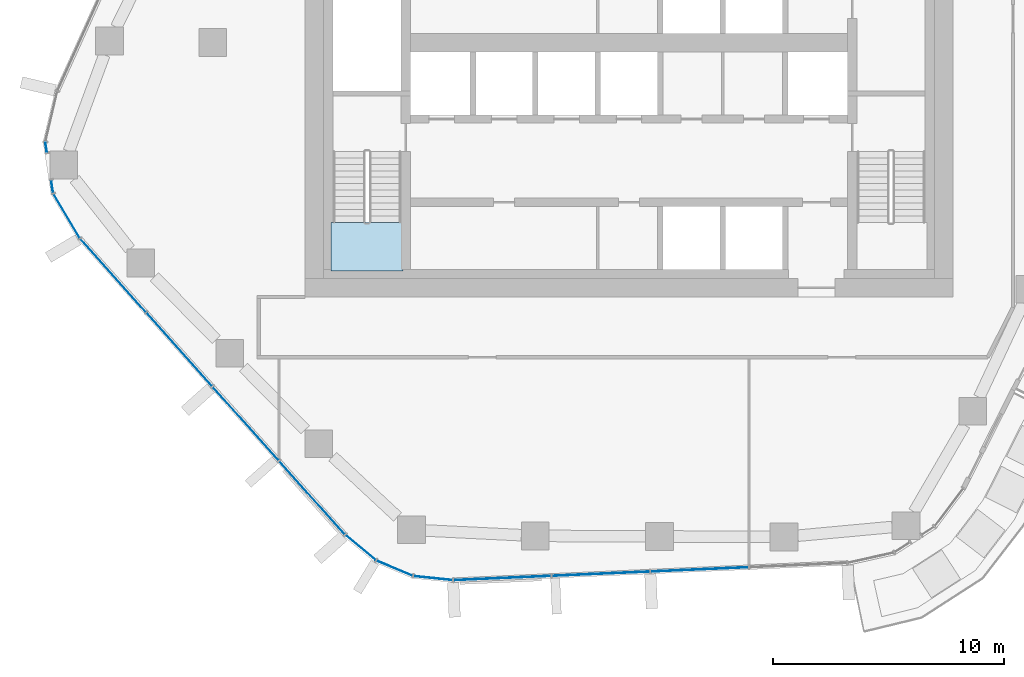
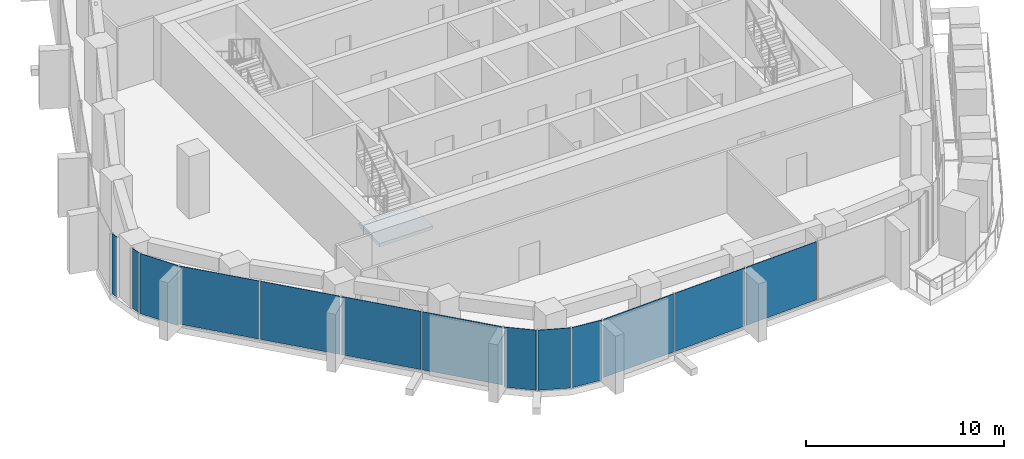
# One storey, part 7 of 17: 13 plates, 1 slab, 6 elements without a shape of their own.
"""IFC4 building model written with IfcOpenShell, lengths in metres."""

from ifc_helpers import new_model, si_unit, direction, frame, origin, origin_2d, place, context, subcontext, project, spatial, polyline, rectangle, outline, extrude, material, layer, layer_set, type_object, element, aggregate, save


model = new_model("IFC4")

# Units and contexts
model_context = context("Model", 3, precision=1e-05, world=origin(), true_north=direction((0.0, 1.0)))
body_context = subcontext(model_context, "Body", "Model", "MODEL_VIEW")
ifc_project = project(units=[si_unit("LENGTHUNIT", "METRE"), si_unit("AREAUNIT", "SQUARE_METRE"), si_unit("VOLUMEUNIT", "CUBIC_METRE"), si_unit("PLANEANGLEUNIT", "RADIAN"), si_unit("MASSUNIT", "GRAM", prefix="KILO")], contexts=[model_context])

# Site, building, storey
site_placement = place(None, origin())
site = spatial("IfcSite", under=ifc_project, at=site_placement, CompositionType="ELEMENT")
building_placement = place(site_placement, origin())
building = spatial("IfcBuilding", under=site, at=building_placement, Name="Dongbaek Canopy Tower", CompositionType="ELEMENT")
storey_placement = place(building_placement, frame((0.0, 0.0, 175.39990234375)))
storey = spatial("IfcBuildingStorey", under=building, at=storey_placement, Name="L38", CompositionType="ELEMENT", Elevation=175.39990234375)

# Curtain wall, plate
ifc_material_1 = material(Name="Aluminium 6063-T6 pale anodised", Category="aluminium")
ifc_layer_1 = layer(ifc_material_1, 0.199951171875)
ifc_layer_set_1 = layer_set([ifc_layer_1], Name="CW-1 unitised tower curtain wall")
curtain_wall_type = type_object("IfcCurtainWallType", Name="CW-1 unitised tower curtain wall", PredefinedType="NOTDEFINED", material=ifc_layer_set_1)
curtain_wall_1_placement = place(storey_placement, origin())
curtain_wall_1 = element("IfcCurtainWall", 1, at=curtain_wall_1_placement, inside=storey, type_object=curtain_wall_type, Name="CW-1 curtain wall K3.1a", PredefinedType="NOTDEFINED")
ifc_material_2 = material(Name="Clear laminated glass", Category="glass")
ifc_layer_2 = layer(ifc_material_2, 0.028076171875)
ifc_layer_set_2 = layer_set([ifc_layer_2], Name="CW-1 glazed panel 28")
plate_type = type_object("IfcPlateType", Name="CW-1 glazed panel 28", PredefinedType="CURTAIN_PANEL", material=ifc_layer_set_2)
plate_1_placement = place(storey_placement, frame((-25.19970703125, -4.52734375, 0.0), z_axis=(0.0, 0.0, 1.0), x_axis=(0.152013282979, -0.988378450695, 0.0)))
plate_1 = element("IfcPlate", 2, at=plate_1_placement, type_object=plate_type, Name="CW-1 panel K3.1a.2.1", PredefinedType="CURTAIN_PANEL", context=body_context, shape_type="SweptSolid", body=[
    extrude(rectangle(XDim=0.391845703125, YDim=0.028076171875, at=origin_2d()), origin(), (0.0, 0.0, 1.0), 3.699951171875),
])
aggregate(curtain_wall_1, [plate_1])

# Curtain wall, plates
curtain_wall_2_placement = place(storey_placement, origin())
curtain_wall_2 = element("IfcCurtainWall", 3, at=curtain_wall_2_placement, inside=storey, type_object=curtain_wall_type, Name="CW-1 curtain wall K3.1b", PredefinedType="NOTDEFINED")
plate_2_placement = place(storey_placement, frame((-24.939697265625, -6.218017578125, 0.0), z_axis=(0.0, 0.0, 1.0), x_axis=(0.152013282979, -0.988378450695, 0.0)))
plate_2 = element("IfcPlate", 4, at=plate_2_placement, type_object=plate_type, Name="CW-1 panel K3.1b.1.1", PredefinedType="CURTAIN_PANEL", context=body_context, shape_type="SweptSolid", body=[
    extrude(rectangle(XDim=0.531494140625, YDim=0.028076171875, at=origin_2d()), origin(), (0.0, 0.0, 1.0), 3.699951171875),
])
plate_3_placement = place(storey_placement, frame((-24.312744140625, -7.495361328125, 0.0), z_axis=(0.0, 0.0, 1.0), x_axis=(0.511989095209, -0.858991947801, 0.0)))
plate_3 = element("IfcPlate", 5, at=plate_3_placement, type_object=plate_type, Name="CW-1 panel K3.1b.2.1", PredefinedType="CURTAIN_PANEL", context=body_context, shape_type="SweptSolid", body=[
    extrude(rectangle(XDim=2.181884765625, YDim=0.028076171875, at=origin_2d()), origin(), (0.0, 0.0, 1.0), 3.699951171875),
])
aggregate(curtain_wall_2, [plate_2, plate_3])

curtain_wall_3_placement = place(storey_placement, origin())
curtain_wall_3 = element("IfcCurtainWall", 6, at=curtain_wall_3_placement, inside=storey, type_object=curtain_wall_type, Name="CW-1 curtain wall F3.1", PredefinedType="NOTDEFINED")
plate_4_placement = place(storey_placement, frame((-22.302001953125, -10.067626953125, 0.1201171875), z_axis=(0.0, 0.0, 1.0), x_axis=(0.666829217942, -0.745210570308, 0.0)))
plate_4 = element("IfcPlate", 7, at=plate_4_placement, type_object=plate_type, Name="CW-1 panel F3.1.1.1", PredefinedType="CURTAIN_PANEL", context=body_context, shape_type="SweptSolid", body=[
    extrude(rectangle(XDim=4.20703125, YDim=0.028076171875, at=origin_2d()), origin(), (0.0, 0.0, 1.0), 3.580078125),
])
plate_5_placement = place(storey_placement, frame((-19.437255859375, -13.26904296875, 0.1201171875), z_axis=(0.0, 0.0, 1.0), x_axis=(0.666829217942, -0.745210570308, 0.0)))
plate_5 = element("IfcPlate", 8, at=plate_5_placement, type_object=plate_type, Name="CW-1 panel F3.1.2.1", PredefinedType="CURTAIN_PANEL", context=body_context, shape_type="SweptSolid", body=[
    extrude(rectangle(XDim=4.216796875, YDim=0.028076171875, at=origin_2d()), origin(), (0.0, 0.0, 1.0), 3.580078125),
])
plate_6_placement = place(storey_placement, frame((-16.5693359375, -16.473876953125, 0.1201171875), z_axis=(0.0, 0.0, 1.0), x_axis=(0.666829217942, -0.745210570308, 0.0)))
plate_6 = element("IfcPlate", 9, at=plate_6_placement, type_object=plate_type, Name="CW-1 panel F3.1.3.1", PredefinedType="CURTAIN_PANEL", context=body_context, shape_type="SweptSolid", body=[
    extrude(rectangle(XDim=4.216796875, YDim=0.028076171875, at=origin_2d()), origin(), (0.0, 0.0, 1.0), 3.580078125),
])
plate_7_placement = place(storey_placement, frame((-13.703857421875, -19.67626953125, 0.1201171875), z_axis=(0.0, 0.0, 1.0), x_axis=(0.666829217942, -0.745210570308, 0.0)))
plate_7 = element("IfcPlate", 10, at=plate_7_placement, type_object=plate_type, Name="CW-1 panel F3.1.4.1", PredefinedType="CURTAIN_PANEL", context=body_context, shape_type="SweptSolid", body=[
    extrude(rectangle(XDim=4.20947265625, YDim=0.028076171875, at=origin_2d()), origin(), (0.0, 0.0, 1.0), 3.580078125),
])
aggregate(curtain_wall_3, [plate_4, plate_5, plate_6, plate_7])

curtain_wall_4_placement = place(storey_placement, origin())
curtain_wall_4 = element("IfcCurtainWall", 11, at=curtain_wall_4_placement, inside=storey, type_object=curtain_wall_type, Name="CW-1 curtain wall K4.1", PredefinedType="NOTDEFINED")
plate_8_placement = place(storey_placement, frame((-11.603271484375, -21.83203125, 0.0), z_axis=(0.0, 0.0, 1.0), x_axis=(0.769056160609, -0.639181212043, 0.0)))
plate_8 = element("IfcPlate", 12, at=plate_8_placement, type_object=plate_type, Name="CW-1 panel K4.1.1.1", PredefinedType="CURTAIN_PANEL", context=body_context, shape_type="SweptSolid", body=[
    extrude(rectangle(XDim=1.656494140625, YDim=0.028076171875, at=origin_2d()), origin(), (0.0, 0.0, 1.0), 3.699951171875),
])
plate_9_placement = place(storey_placement, frame((-10.135498046875, -22.724609375, 0.0), z_axis=(0.0, 0.0, 1.0), x_axis=(0.921605953712, -0.38812686854, 0.0)))
plate_9 = element("IfcPlate", 13, at=plate_9_placement, type_object=plate_type, Name="CW-1 panel K4.1.2.1", PredefinedType="CURTAIN_PANEL", context=body_context, shape_type="SweptSolid", body=[
    extrude(rectangle(XDim=1.64892578125, YDim=0.028076171875, at=origin_2d()), origin(), (0.0, 0.0, 1.0), 3.699951171875),
])
plate_10_placement = place(storey_placement, frame((-8.471435546875, -23.151123046875, 0.0), z_axis=(0.0, 0.0, 1.0), x_axis=(0.994621408509, -0.103577283883, 0.0)))
plate_10 = element("IfcPlate", 14, at=plate_10_placement, type_object=plate_type, Name="CW-1 panel K4.1.3.1", PredefinedType="CURTAIN_PANEL", context=body_context, shape_type="SweptSolid", body=[
    extrude(rectangle(XDim=1.656494140625, YDim=0.028076171875, at=origin_2d()), origin(), (0.0, 0.0, 1.0), 3.699951171875),
])
aggregate(curtain_wall_4, [plate_8, plate_9, plate_10])

curtain_wall_5_placement = place(storey_placement, origin())
curtain_wall_5 = element("IfcCurtainWall", 15, at=curtain_wall_5_placement, inside=storey, type_object=curtain_wall_type, Name="CW-1 curtain wall F4.1", PredefinedType="NOTDEFINED")
plate_11_placement = place(storey_placement, frame((-5.476806640625, -23.148193359375, 0.1201171875), z_axis=(0.0, 0.0, 1.0), x_axis=(0.999047313196, 0.043640187851, 0.0)))
plate_11 = element("IfcPlate", 16, at=plate_11_placement, type_object=plate_type, Name="CW-1 panel F4.1.1.1", PredefinedType="CURTAIN_PANEL", context=body_context, shape_type="SweptSolid", body=[
    extrude(rectangle(XDim=4.17822265625, YDim=0.028076171875, at=origin_2d()), origin(), (0.0, 0.0, 1.0), 3.580078125),
])
plate_12_placement = place(storey_placement, frame((-1.215087890625, -22.962158203125, 0.1201171875), z_axis=(0.0, 0.0, 1.0), x_axis=(0.999047313196, 0.043640187851, 0.0)))
plate_12 = element("IfcPlate", 17, at=plate_12_placement, type_object=plate_type, Name="CW-1 panel F4.1.2.1", PredefinedType="CURTAIN_PANEL", context=body_context, shape_type="SweptSolid", body=[
    extrude(rectangle(XDim=4.185546875, YDim=0.028076171875, at=origin_2d()), origin(), (0.0, 0.0, 1.0), 3.580078125),
])
plate_13_placement = place(storey_placement, frame((3.05029296875, -22.775634765625, 0.1201171875), z_axis=(0.0, 0.0, 1.0), x_axis=(0.999047313196, 0.043640187851, 0.0)))
plate_13 = element("IfcPlate", 18, at=plate_13_placement, type_object=plate_type, Name="CW-1 panel F4.1.3.1", PredefinedType="CURTAIN_PANEL", context=body_context, shape_type="SweptSolid", body=[
    extrude(rectangle(XDim=4.185546875, YDim=0.028076171875, at=origin_2d()), origin(), (0.0, 0.0, 1.0), 3.580078125),
])
aggregate(curtain_wall_5, [plate_11, plate_12, plate_13])

# Stair, slab
ifc_material_3 = material(Name="Concrete C40/50", Category="concrete")
stair_type = type_object("IfcStairType", Name="Core exit stair", PredefinedType="HALF_TURN_STAIR", material=ifc_material_3)
stair_placement = place(storey_placement, origin())
stair = element("IfcStair", 19, at=stair_placement, inside=storey, type_object=stair_type, Name="L38 exit stair D", PredefinedType="HALF_TURN_STAIR")
ifc_material_4 = material(Name="Concrete C40/50", Category="concrete")
ifc_layer_3 = layer(ifc_material_4, 0.199951171875)
ifc_layer_set_3 = layer_set([ifc_layer_3], Name="Core stair landing 200")
slab_type = type_object("IfcSlabType", Name="Core stair landing 200", PredefinedType="LANDING", material=ifc_layer_set_3)
slab_placement = place(storey_placement, frame((0.0, 0.0, 1.900146484375)))
slab = element("IfcSlab", 20, at=slab_placement, type_object=slab_type, Name="ST-D landing 1", PredefinedType="LANDING", context=body_context, shape_type="SweptSolid", body=[
    extrude(outline(polyline([(-12.875, -7.780029296875), (-12.875, -9.875), (-9.77490234375, -9.875), (-9.77490234375, -7.780029296875), (-12.875, -7.780029296875)])), origin(), (0.0, 0.0, 1.0), 0.199951171875),
])
aggregate(stair, [slab])

save(model, "model.ifc")
